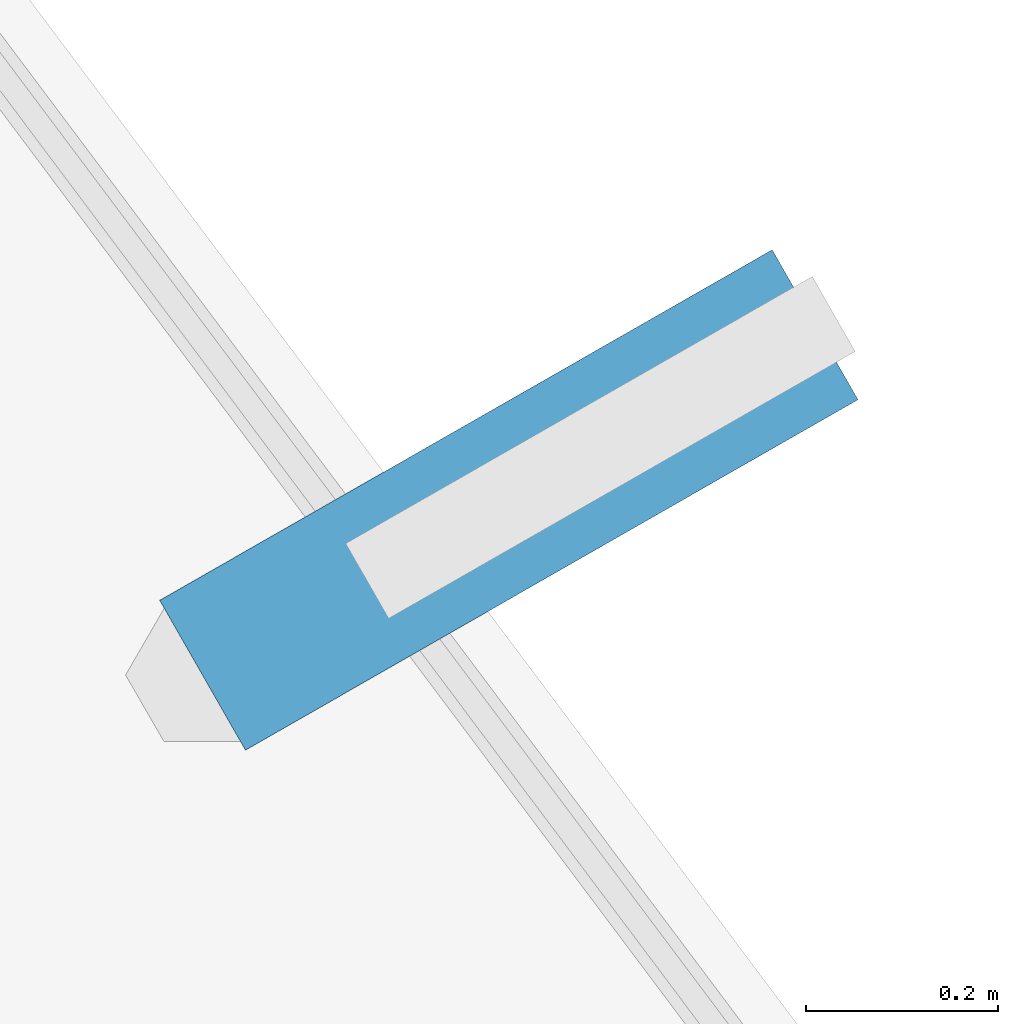
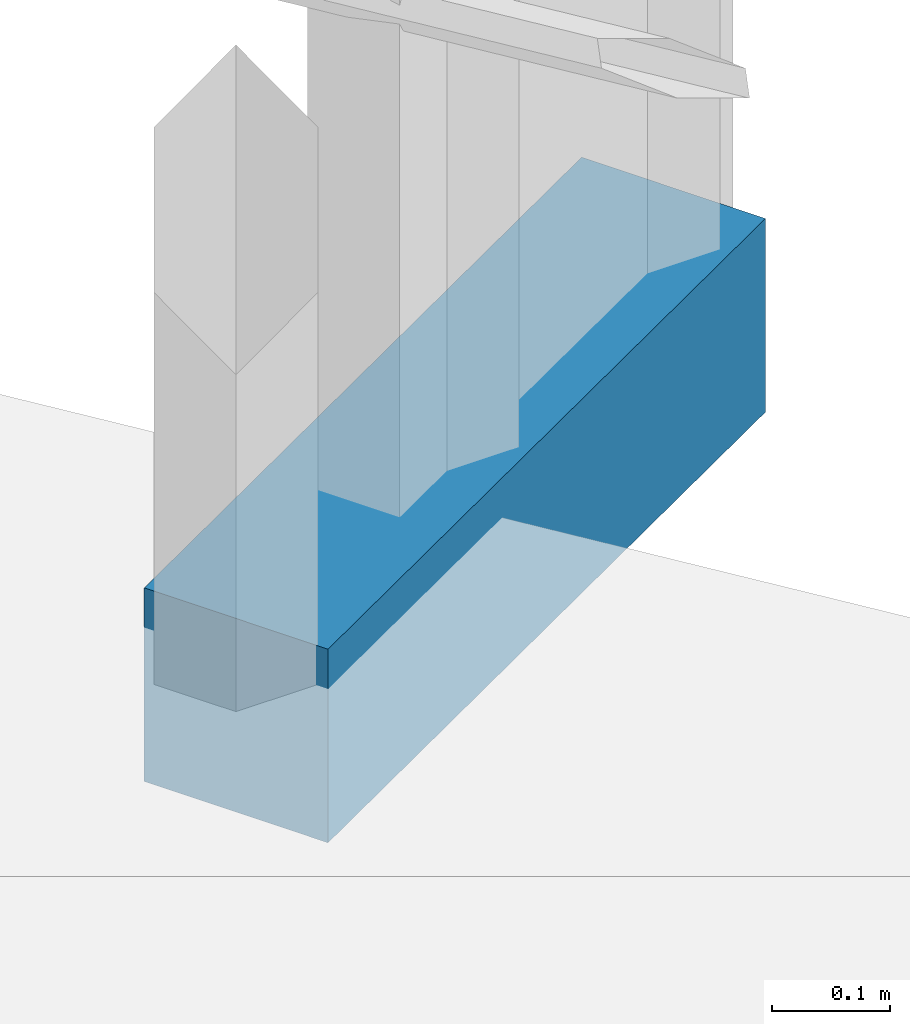
# One storey, part 25 of 28: 1 discrete accessory.
"""IFC4 building model written with IfcOpenShell, lengths in metres."""

from ifc_helpers import new_model, si_unit, direction, frame, origin, origin_2d, place, context, subcontext, project, spatial, rectangle, extrude, source, transform, mapped, material, type_object, element, save


model = new_model("IFC4")

# Units and contexts
model_context = context("Model", 3, precision=1e-05, world=origin(), true_north=direction((0.0, 1.0)))
body_context = subcontext(model_context, "Body", "Model", "MODEL_VIEW")
ifc_project = project(units=[si_unit("LENGTHUNIT", "METRE"), si_unit("AREAUNIT", "SQUARE_METRE"), si_unit("VOLUMEUNIT", "CUBIC_METRE"), si_unit("PLANEANGLEUNIT", "RADIAN"), si_unit("MASSUNIT", "GRAM", prefix="KILO")], contexts=[model_context])

# Site, building, storey
site_placement = place(None, origin())
site = spatial("IfcSite", under=ifc_project, at=site_placement, CompositionType="ELEMENT")
building_placement = place(site_placement, origin())
building = spatial("IfcBuilding", under=site, at=building_placement, Name="Kelanora Arch Commons", CompositionType="ELEMENT")
storey_placement = place(building_placement, frame((0.0, 0.0, 176.85009765625)))
storey = spatial("IfcBuildingStorey", under=building, at=storey_placement, Name="L45", CompositionType="ELEMENT", Elevation=176.85009765625)

# Discrete accessory
ifc_material = material(Name="Stainless steel 316 marine fin bracket", Category="steel")
discrete_accessory_type = type_object("IfcDiscreteAccessoryType", Name="ACC-FIN-BRK", PredefinedType="BRACKET", material=ifc_material)
shared_shape = source(origin(), body_context, "Body", "SweptSolid", [
    extrude(rectangle(XDim=0.735107421875, YDim=0.179931640625, at=origin_2d()), origin(), (0.0, 0.0, 1.0), 0.199951171875),
])
discrete_accessory_placement = place(storey_placement, frame((94.310546875, 69.62109375, -0.16015625), z_axis=(0.0, 0.0, 1.0), x_axis=(0.867938877136, 0.49667102347, 0.0)))
element("IfcDiscreteAccessory", 1, at=discrete_accessory_placement, inside=storey, type_object=discrete_accessory_type, Name="Sweeping Fin Cantilever Spine Bracket L45-02", PredefinedType="BRACKET", context=body_context, shape_type="MappedRepresentation", body=[
    mapped(shared_shape, transform((0.0, 0.0, 0.0), scale=1.0)),
])

save(model, "model.ifc")
